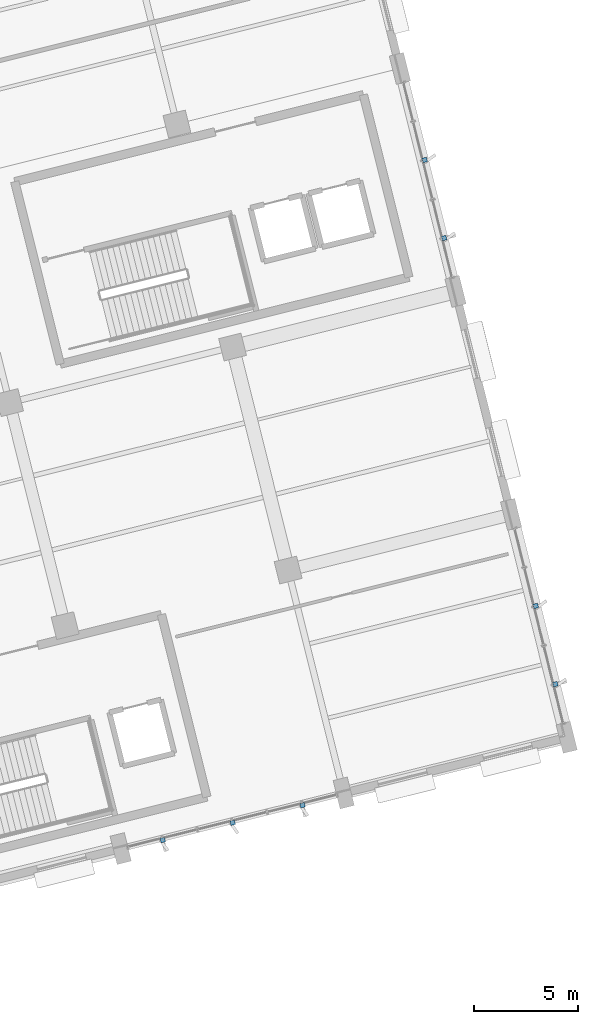
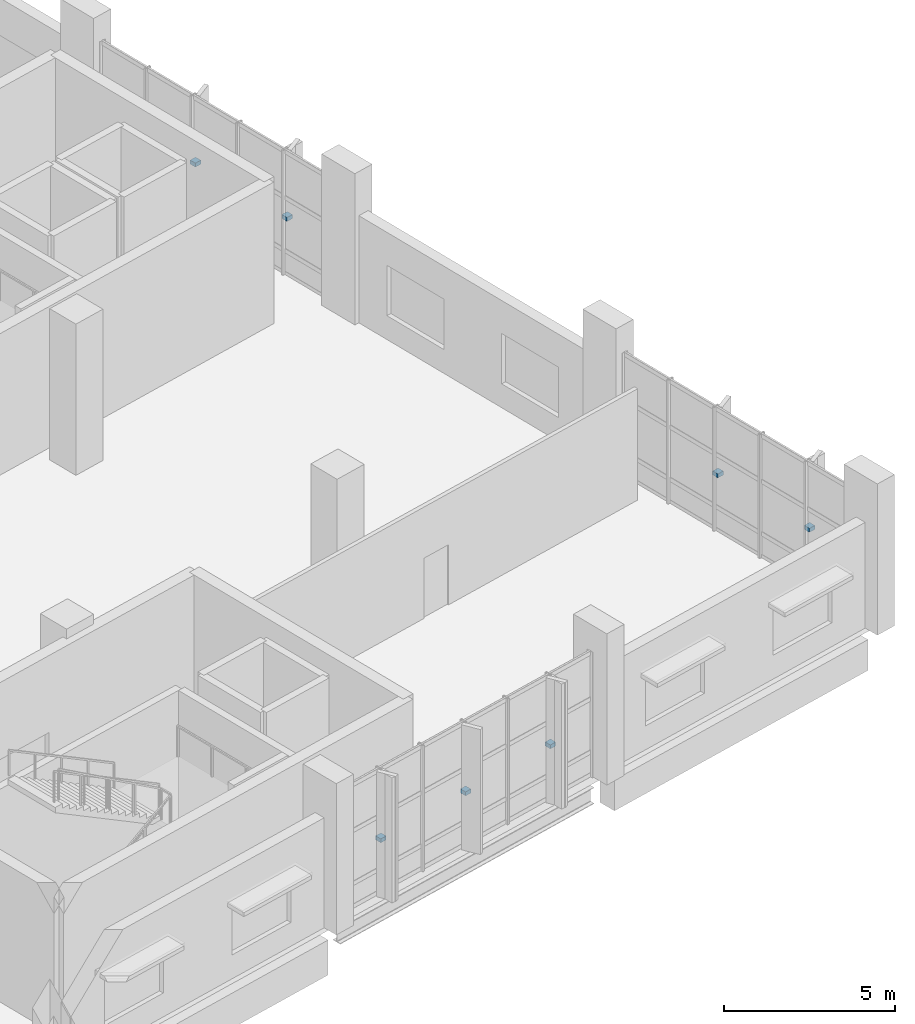
# One storey, part 156 of 176: 7 discrete accessories.
"""IFC4 building model written with IfcOpenShell, lengths in metres."""

from ifc_helpers import new_model, si_unit, direction, frame, origin, origin_2d, place, context, subcontext, project, spatial, rectangle, extrude, material, type_object, element, save


model = new_model("IFC4")

# Units and contexts
model_context = context("Model", 3, precision=1e-05, world=origin(), true_north=direction((0.0, 1.0)))
body_context = subcontext(model_context, "Body", "Model", "MODEL_VIEW")
ifc_project = project(units=[si_unit("LENGTHUNIT", "METRE"), si_unit("AREAUNIT", "SQUARE_METRE"), si_unit("VOLUMEUNIT", "CUBIC_METRE"), si_unit("PLANEANGLEUNIT", "RADIAN"), si_unit("MASSUNIT", "GRAM", prefix="KILO")], contexts=[model_context])

# Site, building, storey
site_placement = place(None, origin())
site = spatial("IfcSite", under=ifc_project, at=site_placement, CompositionType="ELEMENT")
building_placement = place(site_placement, origin())
building = spatial("IfcBuilding", under=site, at=building_placement, Name="Khorjan Park Terminus", CompositionType="ELEMENT")
storey_placement = place(building_placement, frame((0.0, 0.0, 6.0)))
storey = spatial("IfcBuildingStorey", under=building, at=storey_placement, Name="L01", CompositionType="ELEMENT", Elevation=6.0)

# Discrete accessories
ifc_material = material(Name="Steel S355", Category="steel")
discrete_accessory_type = type_object("IfcDiscreteAccessoryType", Name="ACC-BRK-FIN", PredefinedType="BRACKET", material=ifc_material)
for number, where, z_axis, x_axis, name in (
    (1, (210.7072, 13.0541, 1.9213), (0.0, 0.0, 1.0), (0.970298180833, 0.241912050695, 0.0), "Solar fin structural bracket BK-01 (CW-V5-S-L01-B05-1)"),
    (2, (214.0514, 13.8878, 1.9213), (0.0, 0.0, 1.0), (0.970298180833, 0.241912050695, 0.0), "Solar fin structural bracket BK-01 (CW-V5-S-L01-B05-3)"),
    (3, (217.3956, 14.7216, 1.9213), (0.0, 0.0, 1.0), (0.970298180833, 0.241912050695, 0.0), "Solar fin structural bracket BK-01 (CW-V5-S-L01-B05-5)"),
    (4, (229.4959, 20.5192, 1.9033), (0.0, 0.0, 1.0), (-0.241920488516, 0.9702960771, 0.0), "Solar fin structural bracket BK-01 (CW-V5-E-L01-B01-1)"),
    (5, (228.563, 24.2607, 1.9033), (0.0, 0.0, 1.0), (-0.241920488516, 0.9702960771, 0.0), "Solar fin structural bracket BK-01 (CW-V5-E-L01-B01-3)"),
    (6, (224.1736, 41.8656, 1.9213), (0.0, 0.0, 1.0), (-0.241922975976, 0.970295456907, 0.0), "Solar fin structural bracket BK-01 (CW-V5-E-L01-B03-1)"),
    (7, (223.2407, 45.6073, 1.9213), (0.0, 0.0, 1.0), (-0.241922975976, 0.970295456907, 0.0), "Solar fin structural bracket BK-01 (CW-V5-E-L01-B03-3)"),
):
    element("IfcDiscreteAccessory", number, at=place(storey_placement, frame(where, z_axis=z_axis, x_axis=x_axis)), inside=storey, type_object=discrete_accessory_type, Name=name, PredefinedType="BRACKET", context=body_context, shape_type="SweptSolid", body=[
        extrude(rectangle(XDim=0.22, YDim=0.22, at=origin_2d()), origin(), (0.0, 0.0, 1.0), 0.14),
    ])

save(model, "model.ifc")
